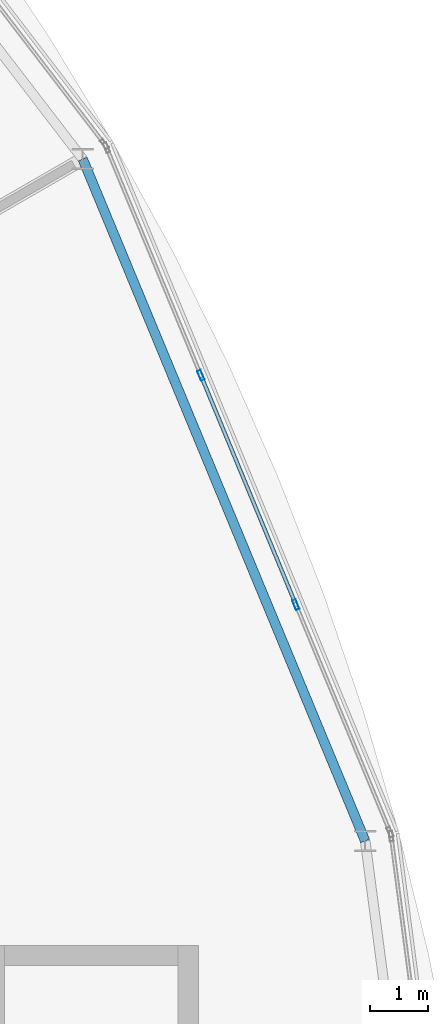
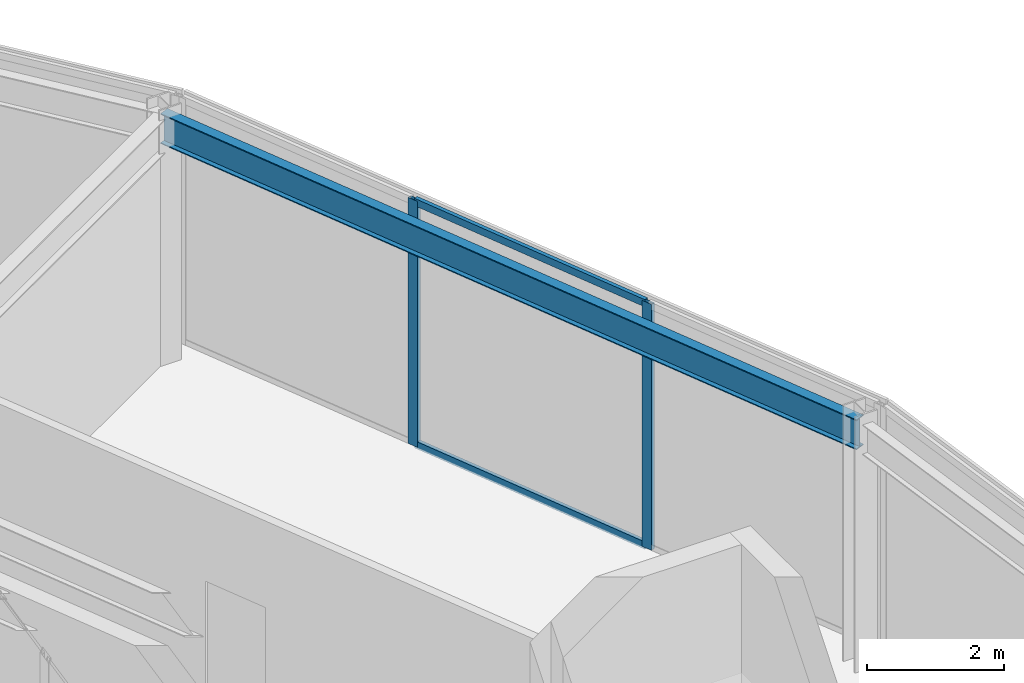
# One storey, part 79 of 157: 4 members, 1 beam, 1 element without a shape of its own.
"""IFC4 building model written with IfcOpenShell, lengths in metres."""

from ifc_helpers import new_model, si_unit, direction, frame, origin, origin_2d, place, context, subcontext, project, spatial, hollow_rectangle, i_section, extrude, material, material_profile, profile_set, type_object, element, aggregate, save


model = new_model("IFC4")

# Units and contexts
model_context = context("Model", 3, precision=1e-05, world=origin(), true_north=direction((0.0, 1.0)))
body_context = subcontext(model_context, "Body", "Model", "MODEL_VIEW")
ifc_project = project(units=[si_unit("LENGTHUNIT", "METRE"), si_unit("AREAUNIT", "SQUARE_METRE"), si_unit("VOLUMEUNIT", "CUBIC_METRE"), si_unit("PLANEANGLEUNIT", "RADIAN"), si_unit("MASSUNIT", "GRAM", prefix="KILO")], contexts=[model_context])

# Site, building, storey
site_placement = place(None, origin())
site = spatial("IfcSite", under=ifc_project, at=site_placement, CompositionType="ELEMENT")
building_placement = place(site_placement, origin())
building = spatial("IfcBuilding", under=site, at=building_placement, Name="Almandine Court Research Institute", CompositionType="ELEMENT")
storey_placement = place(building_placement, frame((0.0, 0.0, 5.25)))
storey = spatial("IfcBuildingStorey", under=building, at=storey_placement, Name="L01", CompositionType="ELEMENT", Elevation=5.25)

# Beam
ifc_material_1 = material(Name="Steel ASTM A992 Grade 50", Category="steel")
ifc_material_profile_1 = material_profile(ifc_material_1, i_section(OverallWidth=0.166015625, OverallDepth=0.534912109375, WebThickness=0.010009765625, FlangeThickness=0.01708984375, at=origin_2d()), Name="W530x85")
ifc_profile_set_1 = profile_set([ifc_material_profile_1], Name="Steel ASTM A992 Grade 50")
beam_type = type_object("IfcBeamType", Name="Beam-G-05-E", PredefinedType="SPANDREL", material=ifc_profile_set_1)
beam_placement = place(storey_placement, frame((134.23388671875, 68.656005859375, 4.10205078125), z_axis=(-0.382653578879, 0.923891897665, 0.0), x_axis=(-0.923891897665, -0.382653578879, 0.0)))
element("IfcBeam", 1, at=beam_placement, inside=storey, type_object=beam_type, Name="L01 Drum OUT Ring Beam 01", PredefinedType="SPANDREL", context=body_context, shape_type="SweptSolid", body=[
    extrude(i_section(OverallWidth=0.166015625, OverallDepth=0.534912109375, WebThickness=0.010009765625, FlangeThickness=0.01708984375, at=origin_2d()), origin(), (0.0, 0.0, 1.0), 12.765625),
])

# Curtain wall, members
ifc_material_2 = material(Name="Unitised Curtain Wall Framing and Solar Glazing", Category="glass")
curtain_wall_type = type_object("IfcCurtainWallType", Name="CW-CWJ-19", PredefinedType="USERDEFINED", material=ifc_material_2)
curtain_wall_placement = place(storey_placement, origin())
curtain_wall = element("IfcCurtainWall", 2, at=curtain_wall_placement, inside=storey, type_object=curtain_wall_type, Name="L01 Stacked-Ring Drum Outer Solar Jali Screen 01", ObjectType="SOLAR JALI SCREEN", PredefinedType="USERDEFINED")
ifc_material_3 = material(Name="Anodised Aluminium AW-6063-T6", Category="aluminium")
ifc_material_profile_2 = material_profile(ifc_material_3, hollow_rectangle(XDim=0.06494140625, YDim=0.179931640625, WallThickness=0.00390625, at=origin_2d()), Name="ALU RHS 65x180x4")
ifc_profile_set_2 = profile_set([ifc_material_profile_2], Name="Anodised Aluminium AW-6063-T6")
member_type_1 = type_object("IfcMemberType", Name="CWMul-65x180", PredefinedType="MULLION", material=ifc_profile_set_2)
member_1_placement = place(storey_placement, frame((131.3916015625, 76.7109375, 0.0), z_axis=(0.0, 0.0, 1.0), x_axis=(0.923888124321, 0.382662689242, 0.0)))
member_1 = element("IfcMember", 3, at=member_1_placement, type_object=member_type_1, Name="CWJ-19 mullion 2", PredefinedType="MULLION", context=body_context, shape_type="SweptSolid", body=[
    extrude(hollow_rectangle(XDim=0.06494140625, YDim=0.179931640625, WallThickness=0.00390625, at=origin_2d()), origin(), (0.0, 0.0, 1.0), 4.3701171875),
])
member_2_placement = place(storey_placement, frame((133.034423828125, 72.7451171875, 0.0), z_axis=(0.0, 0.0, 1.0), x_axis=(0.923888124321, 0.382662689242, 0.0)))
member_2 = element("IfcMember", 4, at=member_2_placement, type_object=member_type_1, Name="CWJ-19 mullion 3", PredefinedType="MULLION", context=body_context, shape_type="SweptSolid", body=[
    extrude(hollow_rectangle(XDim=0.06494140625, YDim=0.179931640625, WallThickness=0.00390625, at=origin_2d()), origin(), (0.0, 0.0, 1.0), 4.3701171875),
])
ifc_material_profile_3 = material_profile(ifc_material_3, hollow_rectangle(XDim=0.06494140625, YDim=0.1298828125, WallThickness=0.00390625, at=origin_2d()), Name="ALU RHS 65x130x4")
ifc_profile_set_3 = profile_set([ifc_material_profile_3], Name="Anodised Aluminium AW-6063-T6")
member_type_2 = type_object("IfcMemberType", Name="CWTrn-65x130", PredefinedType="NOTDEFINED", material=ifc_profile_set_3)
member_3_placement = place(storey_placement, frame((131.404052734375, 76.680908203125, 0.032470703125), z_axis=(0.382703712437, -0.92387113197, 0.0), x_axis=(0.92387113197, 0.382703712437, 0.0)))
member_3 = element("IfcMember", 5, at=member_3_placement, type_object=member_type_2, Name="CWJ-19 transom 2.1", ObjectType="TRANSOM", PredefinedType="USERDEFINED", context=body_context, shape_type="SweptSolid", body=[
    extrude(hollow_rectangle(XDim=0.06494140625, YDim=0.1298828125, WallThickness=0.00390625, at=origin_2d()), origin(), (0.0, 0.0, 1.0), 4.2275390625),
])
member_4_placement = place(storey_placement, frame((131.404052734375, 76.680908203125, 4.33740234375), z_axis=(0.382703712437, -0.92387113197, 0.0), x_axis=(0.92387113197, 0.382703712437, 0.0)))
member_4 = element("IfcMember", 6, at=member_4_placement, type_object=member_type_2, Name="CWJ-19 transom 2.2", ObjectType="TRANSOM", PredefinedType="USERDEFINED", context=body_context, shape_type="SweptSolid", body=[
    extrude(hollow_rectangle(XDim=0.06494140625, YDim=0.1298828125, WallThickness=0.00390625, at=origin_2d()), origin(), (0.0, 0.0, 1.0), 4.2275390625),
])
aggregate(curtain_wall, [member_1, member_2, member_3, member_4])

save(model, "model.ifc")
